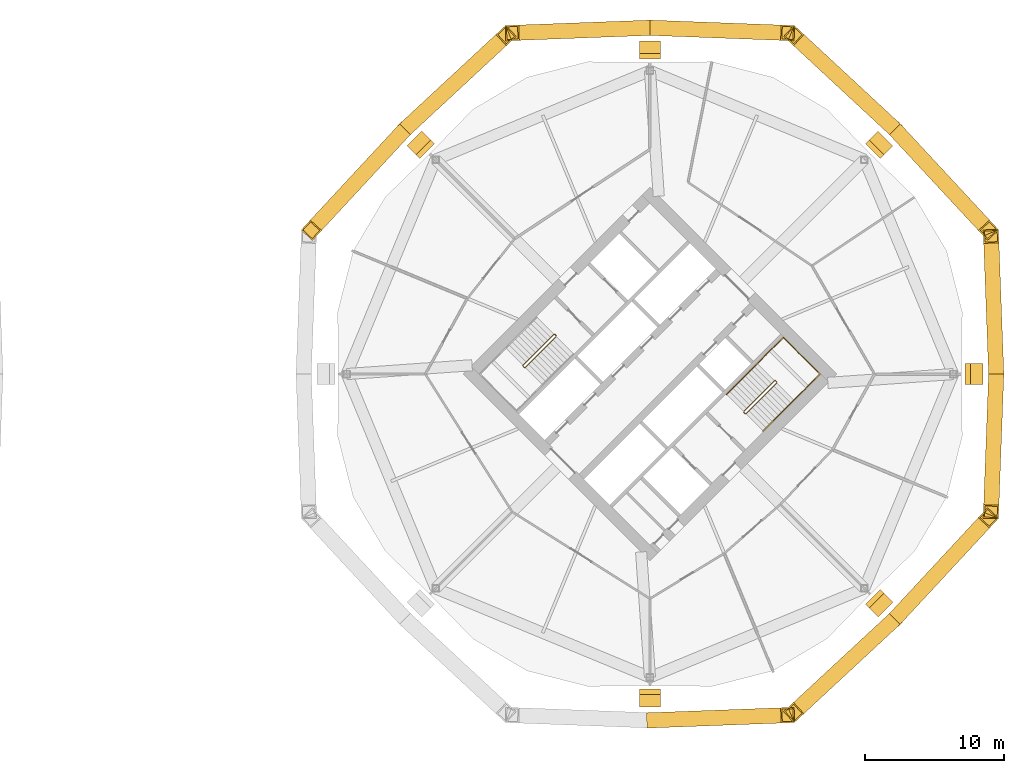
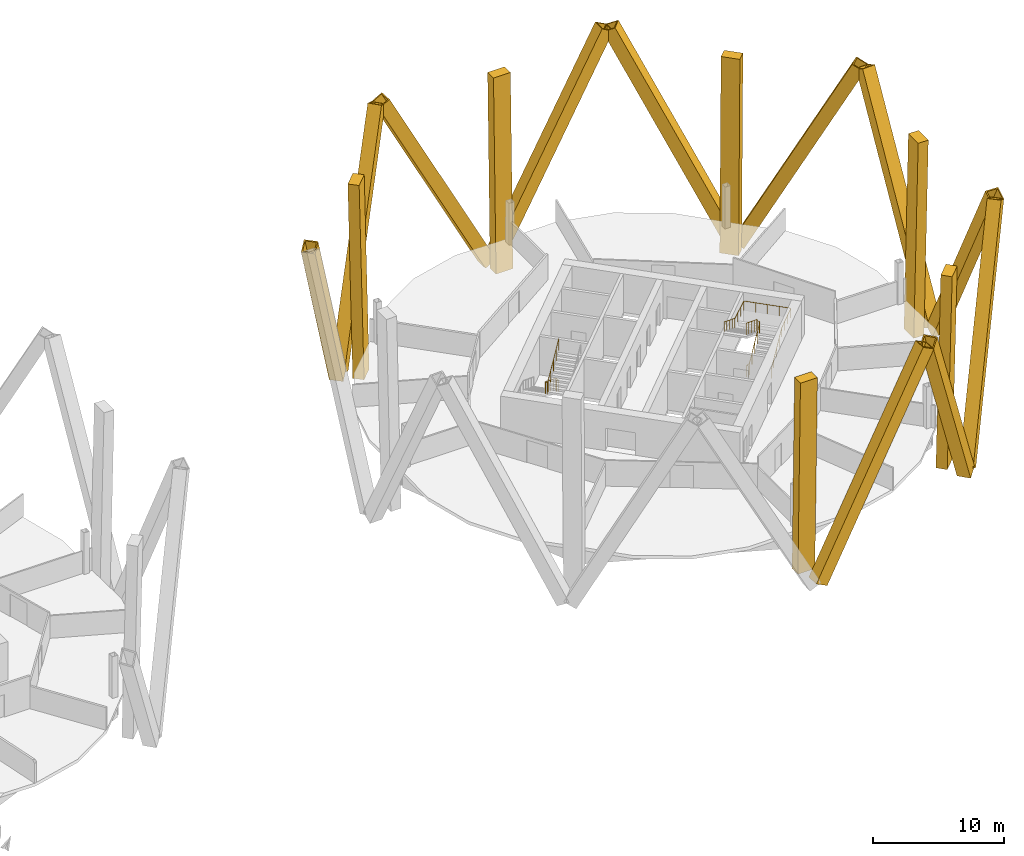
# One storey, part 10 of 10: 17 coverings, 3 railings.
"""IFC4 building model written with IfcOpenShell, lengths in metres."""

from ifc_helpers import new_model, si_unit, direction, frame, origin, origin_2d, place, context, subcontext, project, spatial, rectangle, hollow_rectangle, circle, extrude, material, material_profile, profile_set, type_object, element, save


model = new_model("IFC4")

# Units and contexts
model_context = context("Model", 3, precision=1e-05, world=origin(), true_north=direction((0.0, 1.0)))
body_context = subcontext(model_context, "Body", "Model", "MODEL_VIEW")
ifc_project = project(units=[si_unit("LENGTHUNIT", "METRE"), si_unit("AREAUNIT", "SQUARE_METRE"), si_unit("VOLUMEUNIT", "CUBIC_METRE"), si_unit("PLANEANGLEUNIT", "RADIAN"), si_unit("MASSUNIT", "GRAM", prefix="KILO")], contexts=[model_context])

# Site, building, storey
site_placement = place(None, origin())
site = spatial("IfcSite", under=ifc_project, at=site_placement, CompositionType="ELEMENT")
building_placement = place(site_placement, origin())
building = spatial("IfcBuilding", under=site, at=building_placement, Name="Ogive Gate Towers", CompositionType="ELEMENT")
storey_placement = place(building_placement, frame((0.0, 0.0, 36.300048828125)))
storey = spatial("IfcBuildingStorey", under=building, at=storey_placement, Name="L07", CompositionType="ELEMENT", Elevation=36.300048828125)

# Coverings
ifc_material_1 = material(Name="Pale metal aluminium", Category="aluminium")
ifc_material_profile_1 = material_profile(ifc_material_1, rectangle(XDim=1.5, YDim=0.89990234375, at=origin_2d()), Name="1500 x 900 pale metal aluminium")
ifc_profile_set_1 = profile_set([ifc_material_profile_1], Name="Pale metal aluminium")
covering_type_1 = type_object("IfcCoveringType", Name="Crease colonnette 1500 x 900", PredefinedType="CLADDING", material=ifc_profile_set_1)
for number, where, z_axis, x_axis, name in (
    (1, (59.1201171875, 0.0, -3.199951171875), (0.021536204679, 0.0, 0.999768069048), (0.0, 1.0, 0.0), "Crease colonnette"),
    (2, (52.348388671875, 16.348388671875, -3.199951171875), (0.01522503292, 0.01522503292, 0.9997681715), (-0.707106781187, 0.707106781187, 0.0), "Crease colonnette"),
    (3, (36.0, 23.1201171875, -3.199951171875), (0.0, 0.021536204679, 0.999768069048), (-1.0, 0.0, 0.0), "Crease colonnette"),
    (4, (19.651611328125, 16.348388671875, -3.199951171875), (-0.01522503292, 0.01522503292, 0.9997681715), (-0.707106781187, -0.707106781187, 0.0), "Crease colonnette"),
    (5, (36.0, -23.1201171875, -3.199951171875), (0.0, -0.021536204679, 0.999768069048), (1.0, 0.0, 0.0), "Crease colonnette"),
    (6, (52.348388671875, -16.348388671875, -3.199951171875), (0.01522503292, -0.01522503292, 0.9997681715), (0.707106781187, 0.707106781187, 0.0), "Crease colonnette"),
):
    element("IfcCovering", number, at=place(storey_placement, frame(where, z_axis=z_axis, x_axis=x_axis)), inside=storey, type_object=covering_type_1, Name=name, PredefinedType="CLADDING", context=body_context, shape_type="SweptSolid", body=[
        extrude(rectangle(XDim=1.5, YDim=0.89990234375, at=origin_2d()), origin(), (0.0, 0.0, 1.0), 18.10400390625),
    ])
ifc_material_2 = material(Name="Pale metal aluminium cladding", Category="aluminium")
ifc_material_profile_2 = material_profile(ifc_material_2, hollow_rectangle(XDim=1.10009765625, YDim=1.10009765625, WallThickness=0.10009765625, at=origin_2d()), Name="1100 x 1100 pale metal casing")
ifc_profile_set_2 = profile_set([ifc_material_profile_2], Name="Pale metal aluminium cladding")
covering_type_2 = type_object("IfcCoveringType", Name="Diagrid casing 1100 x 1100", PredefinedType="CLADDING", material=ifc_profile_set_2)
for number, where, z_axis, x_axis, name in (
    (7, (60.900390625, -0.254150390625, -3.412353515625), (-0.017318884617, -0.462000529316, 0.886710531768), (0.999298112562, -0.037460408833, 0.0), "Diagrid casing"),
    (8, (60.900390625, 0.254150390625, -3.412353515625), (-0.017318884617, 0.462000529316, 0.886710531768), (-0.999298112562, -0.037460408833, 0.0), "Diagrid casing"),
):
    element("IfcCovering", number, at=place(storey_placement, frame(where, z_axis=z_axis, x_axis=x_axis)), inside=storey, type_object=covering_type_2, Name=name, PredefinedType="CLADDING", context=body_context, shape_type="SweptSolid", body=[
        extrude(hollow_rectangle(XDim=1.10009765625, YDim=1.10009765625, WallThickness=0.10009765625, at=origin_2d()), origin(), (0.0, 0.0, 1.0), 20.891357421875),
    ])
for number, where, z_axis, x_axis, name in (
    (9, (53.786865234375, 17.427490234375, -3.412353515625), (0.314449372476, -0.338931735913, 0.886705627895), (0.733087805091, 0.680134008874, 0.0), "Diagrid casing"),
    (10, (53.427490234375, 17.786865234375, -3.412353515625), (-0.338931735913, 0.314449372476, 0.886705627895), (-0.680134008874, -0.733087805091, 0.0), "Diagrid casing"),
):
    element("IfcCovering", number, at=place(storey_placement, frame(where, z_axis=z_axis, x_axis=x_axis)), inside=storey, type_object=covering_type_2, Name=name, PredefinedType="CLADDING", context=body_context, shape_type="SweptSolid", body=[
        extrude(hollow_rectangle(XDim=1.10009765625, YDim=1.10009765625, WallThickness=0.10009765625, at=origin_2d()), origin(), (0.0, 0.0, 1.0), 20.8916015625),
    ])
for number, where, z_axis, x_axis, name in (
    (11, (36.254150390625, 24.900390625, -3.412353515625), (0.462000529316, -0.017318884617, 0.886710531768), (0.037460408833, 0.999298112562, 0.0), "Diagrid casing"),
    (12, (35.745849609375, 24.900390625, -3.412353515625), (-0.462000529316, -0.017318884617, 0.886710531768), (0.037460408833, -0.999298112562, 0.0), "Diagrid casing"),
):
    element("IfcCovering", number, at=place(storey_placement, frame(where, z_axis=z_axis, x_axis=x_axis)), inside=storey, type_object=covering_type_2, Name=name, PredefinedType="CLADDING", context=body_context, shape_type="SweptSolid", body=[
        extrude(hollow_rectangle(XDim=1.10009765625, YDim=1.10009765625, WallThickness=0.10009765625, at=origin_2d()), origin(), (0.0, 0.0, 1.0), 20.891357421875),
    ])
for number, where, z_axis, x_axis, name in (
    (13, (18.572509765625, 17.786865234375, -3.412353515625), (0.338931735913, 0.314449372476, 0.886705627895), (-0.680134008874, 0.733087805091, 0.0), "Diagrid casing"),
    (14, (18.213134765625, 17.427490234375, -3.412353515625), (-0.314449372476, -0.338931735913, 0.886705627895), (0.733087805091, -0.680134008874, 0.0), "Diagrid casing"),
):
    element("IfcCovering", number, at=place(storey_placement, frame(where, z_axis=z_axis, x_axis=x_axis)), inside=storey, type_object=covering_type_2, Name=name, PredefinedType="CLADDING", context=body_context, shape_type="SweptSolid", body=[
        extrude(hollow_rectangle(XDim=1.10009765625, YDim=1.10009765625, WallThickness=0.10009765625, at=origin_2d()), origin(), (0.0, 0.0, 1.0), 20.8916015625),
    ])
covering_placement = place(storey_placement, frame((36.254150390625, -24.900390625, -3.412353515625), z_axis=(0.462000529316, 0.017318884617, 0.886710531768), x_axis=(-0.037460408833, 0.999298112562, 0.0)))
element("IfcCovering", 15, at=covering_placement, inside=storey, type_object=covering_type_2, Name="Diagrid casing", PredefinedType="CLADDING", context=body_context, shape_type="SweptSolid", body=[
    extrude(hollow_rectangle(XDim=1.10009765625, YDim=1.10009765625, WallThickness=0.10009765625, at=origin_2d()), origin(), (0.0, 0.0, 1.0), 20.891357421875),
])
for number, where, z_axis, x_axis, name in (
    (16, (53.427490234375, -17.786865234375, -3.412353515625), (-0.338931735913, -0.314449372476, 0.886705627895), (0.680134008874, -0.733087805091, 0.0), "Diagrid casing"),
    (17, (53.786865234375, -17.427490234375, -3.412353515625), (0.314449372476, 0.338931735913, 0.886705627895), (-0.733087805091, 0.680134008874, 0.0), "Diagrid casing"),
):
    element("IfcCovering", number, at=place(storey_placement, frame(where, z_axis=z_axis, x_axis=x_axis)), inside=storey, type_object=covering_type_2, Name=name, PredefinedType="CLADDING", context=body_context, shape_type="SweptSolid", body=[
        extrude(hollow_rectangle(XDim=1.10009765625, YDim=1.10009765625, WallThickness=0.10009765625, at=origin_2d()), origin(), (0.0, 0.0, 1.0), 20.8916015625),
    ])

# Railings
ifc_material_3 = material(Name="Stainless steel", Category="steel")
railing_type_1 = type_object("IfcRailingType", Name="Stair guard 1100", PredefinedType="GUARDRAIL", material=ifc_material_3)
railing_1_placement = place(storey_placement, frame((29.15869140625, 2.8603515625, 0.0)))
element("IfcRailing", 18, at=railing_1_placement, inside=storey, type_object=railing_type_1, Name="L07 ST1 stair guard 1", PredefinedType="GUARDRAIL", context=body_context, shape_type="SweptSolid", body=[
    extrude(circle(Radius=0.02392578125, at=origin_2d()), frame((0.0, 0.0, 1.076171875), z_axis=(0.707106781187, -0.707106781187, 0.0), x_axis=(0.707106781187, 0.707106781187, 0.0)), (0.0, 0.0, 1.0), 0.14501953125),
    extrude(circle(Radius=0.02392578125, at=origin_2d()), frame((0.1025390625, -0.1025390625, 1.076171875), z_axis=(-0.645571447971, 0.382425963537, 0.661050594114), x_axis=(-0.509669330572, -0.860370369942, 0.0)), (0.0, 0.0, 1.0), 0.26806640625),
    extrude(circle(Radius=0.02392578125, at=origin_2d()), frame((-0.070556640625, 0.0, 1.25341796875), z_axis=(-0.61558473135, -0.61558473135, 0.49204763698), x_axis=(0.707106781187, -0.707106781187, 0.0)), (0.0, 0.0, 1.0), 3.602783203125),
    extrude(circle(Radius=0.02392578125, at=origin_2d()), frame((-2.288330078125, -2.2177734375, 3.02587890625), z_axis=(0.0, -1.0, 0.0), x_axis=(1.0, 0.0, 0.0)), (0.0, 0.0, 1.0), 0.07080078125),
    extrude(circle(Radius=0.02392578125, at=origin_2d()), frame((-2.288330078125, -2.28857421875, 3.02587890625), z_axis=(0.707106781187, -0.707106781187, 0.0), x_axis=(0.707106781187, 0.707106781187, 0.0)), (0.0, 0.0, 1.0), 0.14501953125),
    extrude(circle(Radius=0.02392578125, at=origin_2d()), frame((-2.185791015625, -2.39111328125, 3.02587890625), z_axis=(0.369845645421, 0.0, 0.929093213065), x_axis=(0.0, 1.0, 0.0)), (0.0, 0.0, 1.0), 0.190673828125),
    extrude(circle(Radius=0.02392578125, at=origin_2d()), frame((-2.115234375, -2.39111328125, 3.203125), z_axis=(0.61558473135, 0.61558473135, 0.49204763698), x_axis=(-0.707106781187, 0.707106781187, 0.0)), (0.0, 0.0, 1.0), 3.602783203125),
    extrude(circle(Radius=0.02099609375, at=origin_2d()), origin(), (0.0, 0.0, 1.0), 1.052001953125),
    extrude(circle(Radius=0.02099609375, at=origin_2d()), frame((0.1025390625, -0.1025390625, 0.0)), (0.0, 0.0, 1.0), 1.052001953125),
    extrude(circle(Radius=0.02099609375, at=origin_2d()), frame((-0.070556640625, 0.0, 0.17724609375)), (0.0, 0.0, 1.0), 1.052001953125),
    extrude(circle(Radius=0.02099609375, at=origin_2d()), frame((-0.625, -0.554443359375, 0.620361328125)), (0.0, 0.0, 1.0), 1.052001953125),
    extrude(circle(Radius=0.02099609375, at=origin_2d()), frame((-1.179443359375, -1.10888671875, 1.0634765625)), (0.0, 0.0, 1.0), 1.052001953125),
    extrude(circle(Radius=0.02099609375, at=origin_2d()), frame((-1.73388671875, -1.663330078125, 1.5068359375)), (0.0, 0.0, 1.0), 1.052001953125),
    extrude(circle(Radius=0.02099609375, at=origin_2d()), frame((-2.288330078125, -2.2177734375, 1.949951171875)), (0.0, 0.0, 1.0), 1.052001953125),
    extrude(circle(Radius=0.02099609375, at=origin_2d()), frame((-2.288330078125, -2.28857421875, 1.949951171875)), (0.0, 0.0, 1.0), 1.052001953125),
    extrude(circle(Radius=0.02099609375, at=origin_2d()), frame((-2.185791015625, -2.39111328125, 1.949951171875)), (0.0, 0.0, 1.0), 1.052001953125),
    extrude(circle(Radius=0.02099609375, at=origin_2d()), frame((-2.115234375, -2.39111328125, 2.127197265625)), (0.0, 0.0, 1.0), 1.052001953125),
    extrude(circle(Radius=0.02099609375, at=origin_2d()), frame((-1.560791015625, -1.836669921875, 2.5703125)), (0.0, 0.0, 1.0), 1.052001953125),
    extrude(circle(Radius=0.02099609375, at=origin_2d()), frame((-1.00634765625, -1.2822265625, 3.013671875)), (0.0, 0.0, 1.0), 1.052001953125),
    extrude(circle(Radius=0.02099609375, at=origin_2d()), frame((-0.451904296875, -0.727783203125, 3.456787109375)), (0.0, 0.0, 1.0), 1.052001953125),
    extrude(circle(Radius=0.02099609375, at=origin_2d()), frame((0.1025390625, -0.17333984375, 3.89990234375)), (0.0, 0.0, 1.0), 1.052001953125),
])
railing_2_placement = place(storey_placement, frame((42.84130859375, -2.8603515625, 0.0)))
element("IfcRailing", 19, at=railing_2_placement, inside=storey, type_object=railing_type_1, Name="L07 ST2 stair guard 1", PredefinedType="GUARDRAIL", context=body_context, shape_type="SweptSolid", body=[
    extrude(circle(Radius=0.02392578125, at=origin_2d()), frame((0.0, 0.0, 1.076171875), z_axis=(-0.707106781187, 0.707106781187, 0.0), x_axis=(-0.707106781187, -0.707106781187, 0.0)), (0.0, 0.0, 1.0), 0.14501953125),
    extrude(circle(Radius=0.02392578125, at=origin_2d()), frame((-0.1025390625, 0.1025390625, 1.076171875), z_axis=(0.645571447971, -0.382425963537, 0.661050594114), x_axis=(0.509669330572, 0.860370369942, 0.0)), (0.0, 0.0, 1.0), 0.26806640625),
    extrude(circle(Radius=0.02392578125, at=origin_2d()), frame((0.070556640625, 0.0, 1.25341796875), z_axis=(0.61558473135, 0.61558473135, 0.49204763698), x_axis=(-0.707106781187, 0.707106781187, 0.0)), (0.0, 0.0, 1.0), 3.602783203125),
    extrude(circle(Radius=0.02392578125, at=origin_2d()), frame((2.288330078125, 2.2177734375, 3.02587890625), z_axis=(0.0, 1.0, 0.0), x_axis=(-1.0, 0.0, 0.0)), (0.0, 0.0, 1.0), 0.07080078125),
    extrude(circle(Radius=0.02392578125, at=origin_2d()), frame((2.288330078125, 2.28857421875, 3.02587890625), z_axis=(-0.707106781187, 0.707106781187, 0.0), x_axis=(-0.707106781187, -0.707106781187, 0.0)), (0.0, 0.0, 1.0), 0.14501953125),
    extrude(circle(Radius=0.02392578125, at=origin_2d()), frame((2.185791015625, 2.39111328125, 3.02587890625), z_axis=(-0.369845645421, 0.0, 0.929093213065), x_axis=(0.0, -1.0, 0.0)), (0.0, 0.0, 1.0), 0.190673828125),
    extrude(circle(Radius=0.02392578125, at=origin_2d()), frame((2.115234375, 2.39111328125, 3.203125), z_axis=(-0.61558473135, -0.61558473135, 0.49204763698), x_axis=(0.707106781187, -0.707106781187, 0.0)), (0.0, 0.0, 1.0), 3.602783203125),
    extrude(circle(Radius=0.02099609375, at=origin_2d()), origin(), (0.0, 0.0, 1.0), 1.052001953125),
    extrude(circle(Radius=0.02099609375, at=origin_2d()), frame((-0.1025390625, 0.1025390625, 0.0)), (0.0, 0.0, 1.0), 1.052001953125),
    extrude(circle(Radius=0.02099609375, at=origin_2d()), frame((0.070556640625, 0.0, 0.17724609375)), (0.0, 0.0, 1.0), 1.052001953125),
    extrude(circle(Radius=0.02099609375, at=origin_2d()), frame((0.625, 0.554443359375, 0.620361328125)), (0.0, 0.0, 1.0), 1.052001953125),
    extrude(circle(Radius=0.02099609375, at=origin_2d()), frame((1.179443359375, 1.10888671875, 1.0634765625)), (0.0, 0.0, 1.0), 1.052001953125),
    extrude(circle(Radius=0.02099609375, at=origin_2d()), frame((1.73388671875, 1.663330078125, 1.5068359375)), (0.0, 0.0, 1.0), 1.052001953125),
    extrude(circle(Radius=0.02099609375, at=origin_2d()), frame((2.288330078125, 2.2177734375, 1.949951171875)), (0.0, 0.0, 1.0), 1.052001953125),
    extrude(circle(Radius=0.02099609375, at=origin_2d()), frame((2.288330078125, 2.28857421875, 1.949951171875)), (0.0, 0.0, 1.0), 1.052001953125),
    extrude(circle(Radius=0.02099609375, at=origin_2d()), frame((2.185791015625, 2.39111328125, 1.949951171875)), (0.0, 0.0, 1.0), 1.052001953125),
    extrude(circle(Radius=0.02099609375, at=origin_2d()), frame((2.115234375, 2.39111328125, 2.127197265625)), (0.0, 0.0, 1.0), 1.052001953125),
    extrude(circle(Radius=0.02099609375, at=origin_2d()), frame((1.560791015625, 1.836669921875, 2.5703125)), (0.0, 0.0, 1.0), 1.052001953125),
    extrude(circle(Radius=0.02099609375, at=origin_2d()), frame((1.00634765625, 1.2822265625, 3.013671875)), (0.0, 0.0, 1.0), 1.052001953125),
    extrude(circle(Radius=0.02099609375, at=origin_2d()), frame((0.451904296875, 0.727783203125, 3.456787109375)), (0.0, 0.0, 1.0), 1.052001953125),
    extrude(circle(Radius=0.02099609375, at=origin_2d()), frame((-0.1025390625, 0.17333984375, 3.89990234375)), (0.0, 0.0, 1.0), 1.052001953125),
])
railing_type_2 = type_object("IfcRailingType", Name="Stair handrail 900", PredefinedType="HANDRAIL", material=ifc_material_3)
railing_3_placement = place(storey_placement, frame((44.142333984375, -4.090576171875, 0.17724609375)))
element("IfcRailing", 20, at=railing_3_placement, inside=storey, type_object=railing_type_2, Name="L07 ST2 stair handrail 1", PredefinedType="HANDRAIL", context=body_context, shape_type="SweptSolid", body=[
    extrude(circle(Radius=0.02392578125, at=origin_2d()), frame((0.0, 0.0, 0.8759765625), z_axis=(0.61558473135, 0.61558473135, 0.49204763698), x_axis=(-0.707106781187, 0.707106781187, 0.0)), (0.0, 0.0, 1.0), 3.602783203125),
    extrude(circle(Radius=0.02392578125, at=origin_2d()), frame((2.2177734375, 2.2177734375, 2.6484375), z_axis=(0.707106781187, 0.707106781187, 0.0), x_axis=(-0.707106781187, 0.707106781187, 0.0)), (0.0, 0.0, 1.0), 2.6484375),
    extrude(circle(Radius=0.02392578125, at=origin_2d()), frame((4.090576171875, 4.090576171875, 2.6484375), z_axis=(-0.707106781187, 0.707106781187, 0.0), x_axis=(-0.707106781187, -0.707106781187, 0.0)), (0.0, 0.0, 1.0), 3.72509765625),
    extrude(circle(Radius=0.02392578125, at=origin_2d()), frame((1.45654296875, 6.724609375, 2.6484375), z_axis=(-0.705482886452, -0.705574853978, 0.066768423356), x_axis=(0.70715286629, -0.70706069308, 0.0)), (0.0, 0.0, 1.0), 2.654541015625),
    extrude(circle(Radius=0.02392578125, at=origin_2d()), frame((-0.416259765625, 4.8515625, 2.82568359375), z_axis=(-0.615610411033, -0.615542642384, 0.4920681632), x_axis=(0.70706785752, -0.70714570271, 0.0)), (0.0, 0.0, 1.0), 3.6025390625),
    extrude(circle(Radius=0.02099609375, at=origin_2d()), origin(), (0.0, 0.0, 1.0), 0.851806640625),
    extrude(circle(Radius=0.02099609375, at=origin_2d()), frame((0.554443359375, 0.554443359375, 0.443115234375)), (0.0, 0.0, 1.0), 0.851806640625),
    extrude(circle(Radius=0.02099609375, at=origin_2d()), frame((1.10888671875, 1.10888671875, 0.88623046875)), (0.0, 0.0, 1.0), 0.851806640625),
    extrude(circle(Radius=0.02099609375, at=origin_2d()), frame((1.663330078125, 1.663330078125, 1.32958984375)), (0.0, 0.0, 1.0), 0.851806640625),
    extrude(circle(Radius=0.02099609375, at=origin_2d()), frame((2.2177734375, 2.2177734375, 1.772705078125)), (0.0, 0.0, 1.0), 0.851806640625),
    extrude(circle(Radius=0.02099609375, at=origin_2d()), frame((2.842041015625, 2.842041015625, 1.772705078125)), (0.0, 0.0, 1.0), 0.851806640625),
    extrude(circle(Radius=0.02099609375, at=origin_2d()), frame((3.46630859375, 3.46630859375, 1.772705078125)), (0.0, 0.0, 1.0), 0.851806640625),
    extrude(circle(Radius=0.02099609375, at=origin_2d()), frame((4.090576171875, 4.090576171875, 1.772705078125)), (0.0, 0.0, 1.0), 0.851806640625),
    extrude(circle(Radius=0.02099609375, at=origin_2d()), frame((3.43212890625, 4.7490234375, 1.772705078125)), (0.0, 0.0, 1.0), 0.851806640625),
    extrude(circle(Radius=0.02099609375, at=origin_2d()), frame((2.7734375, 5.40771484375, 1.772705078125)), (0.0, 0.0, 1.0), 0.851806640625),
    extrude(circle(Radius=0.02099609375, at=origin_2d()), frame((2.114990234375, 6.066162109375, 1.772705078125)), (0.0, 0.0, 1.0), 0.851806640625),
    extrude(circle(Radius=0.02099609375, at=origin_2d()), frame((1.45654296875, 6.724609375, 1.772705078125)), (0.0, 0.0, 1.0), 0.851806640625),
    extrude(circle(Radius=0.02099609375, at=origin_2d()), frame((0.832275390625, 6.100341796875, 1.831787109375)), (0.0, 0.0, 1.0), 0.851806640625),
    extrude(circle(Radius=0.02099609375, at=origin_2d()), frame((0.2080078125, 5.475830078125, 1.890869140625)), (0.0, 0.0, 1.0), 0.851806640625),
    extrude(circle(Radius=0.02099609375, at=origin_2d()), frame((-0.416259765625, 4.8515625, 1.949951171875)), (0.0, 0.0, 1.0), 0.851806640625),
    extrude(circle(Radius=0.02099609375, at=origin_2d()), frame((-0.970703125, 4.297119140625, 2.39306640625)), (0.0, 0.0, 1.0), 0.851806640625),
    extrude(circle(Radius=0.02099609375, at=origin_2d()), frame((-1.525146484375, 3.74267578125, 2.83642578125)), (0.0, 0.0, 1.0), 0.851806640625),
    extrude(circle(Radius=0.02099609375, at=origin_2d()), frame((-2.07958984375, 3.1884765625, 3.279541015625)), (0.0, 0.0, 1.0), 0.851806640625),
    extrude(circle(Radius=0.02099609375, at=origin_2d()), frame((-2.634033203125, 2.634033203125, 3.72265625)), (0.0, 0.0, 1.0), 0.851806640625),
])

save(model, "model.ifc")
